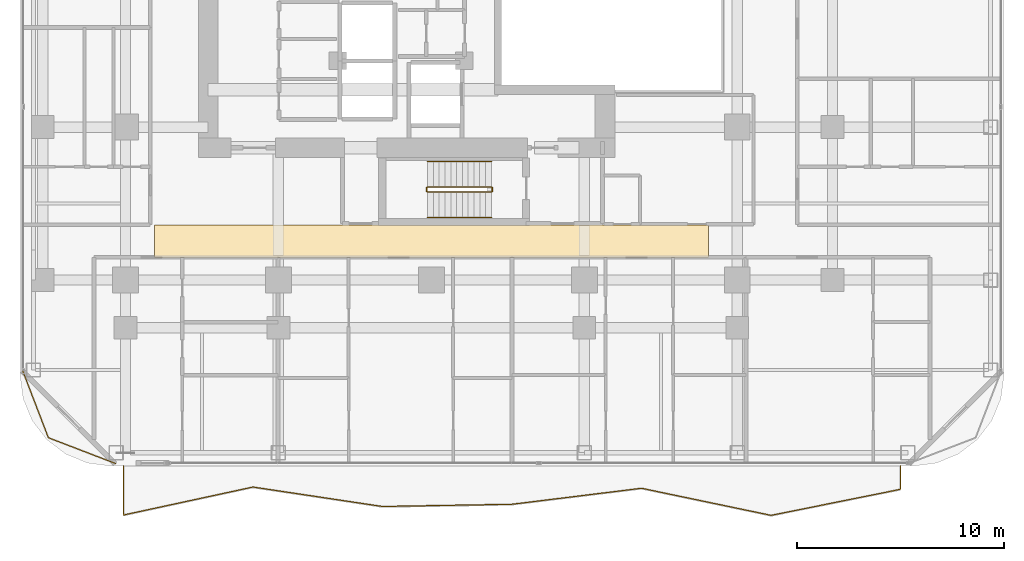
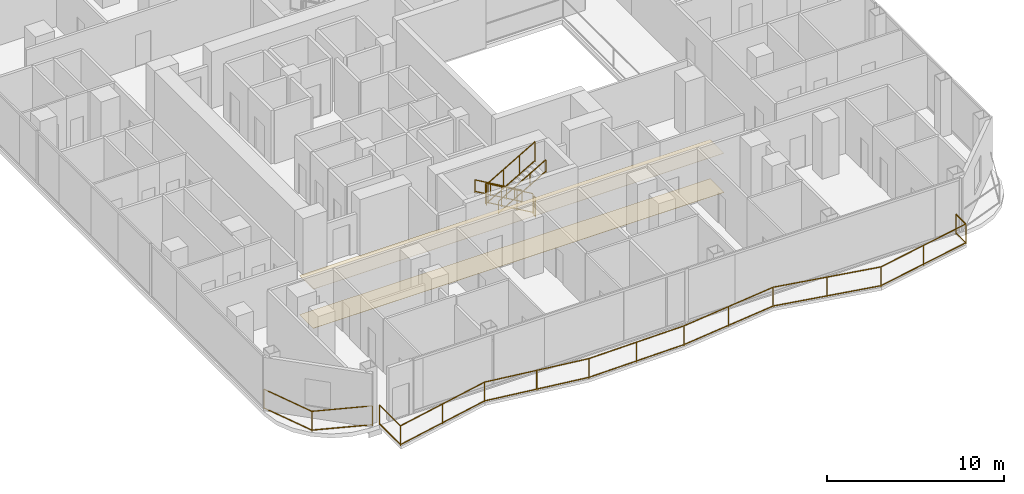
# One storey, part 27 of 29: 8 railings, 2 coverings.
"""IFC4 building model written with IfcOpenShell, lengths in metres."""

from ifc_helpers import new_model, si_unit, direction, frame, origin, origin_2d, place, context, subcontext, project, spatial, polyline, rectangle, outline, extrude, material, layer, layer_set, type_object, element, save


model = new_model("IFC4")

# Units and contexts
model_context = context("Model", 3, precision=1e-05, world=origin(), true_north=direction((0.0, 1.0)))
body_context = subcontext(model_context, "Body", "Model", "MODEL_VIEW")
ifc_project = project(units=[si_unit("LENGTHUNIT", "METRE"), si_unit("AREAUNIT", "SQUARE_METRE"), si_unit("VOLUMEUNIT", "CUBIC_METRE"), si_unit("PLANEANGLEUNIT", "RADIAN"), si_unit("MASSUNIT", "GRAM", prefix="KILO")], contexts=[model_context])

# Site, building, storey
site_placement = place(None, origin())
site = spatial("IfcSite", under=ifc_project, at=site_placement, CompositionType="ELEMENT")
building_placement = place(site_placement, origin())
building = spatial("IfcBuilding", under=site, at=building_placement, Name="Khorvyn Point Tower", CompositionType="ELEMENT")
storey_placement = place(building_placement, frame((0.0, 0.0, 136.800048828125)))
storey = spatial("IfcBuildingStorey", under=building, at=storey_placement, Name="L34", CompositionType="ELEMENT", Elevation=136.800048828125)

# Railings
ifc_material_1 = material(Name="Anodised aluminium 6063-T6 and laminated safety glass", Category="aluminium")
railing_type_1 = type_object("IfcRailingType", Name="Laminated Glass and Aluminium Balcony Guardrail 1400", PredefinedType="BALUSTRADE", material=ifc_material_1)
railing_1_placement = place(storey_placement, frame((-19.774169921875, -19.176025390625, 0.0)))
element("IfcRailing", 1, at=railing_1_placement, inside=storey, type_object=railing_type_1, Name="L34 Rounded Corner Edge Guardrail SW", PredefinedType="BALUSTRADE", context=body_context, shape_type="SweptSolid", body=[
    extrude(rectangle(XDim=0.048095703125, YDim=0.048095703125, at=origin_2d()), frame((0.0, 0.0, 1.3759765625), z_axis=(0.358382264808, -0.933574931257, 0.0), x_axis=(0.933574931257, 0.358382264808, 0.0)), (0.0, 0.0, 1.0), 3.481689453125),
    extrude(rectangle(XDim=0.048095703125, YDim=0.048095703125, at=origin_2d()), frame((0.0, 0.0, 0.080078125), z_axis=(0.358382264808, -0.933574931257, 0.0), x_axis=(0.933574931257, 0.358382264808, 0.0)), (0.0, 0.0, 1.0), 3.481689453125),
    extrude(rectangle(XDim=0.048095703125, YDim=0.048095703125, at=origin_2d()), frame((1.247802734375, -3.25048828125, 1.3759765625), z_axis=(0.933598390295, -0.358321148746, 0.0), x_axis=(0.358321148746, 0.933598390295, 0.0)), (0.0, 0.0, 1.0), 3.481689453125),
    extrude(rectangle(XDim=0.048095703125, YDim=0.048095703125, at=origin_2d()), frame((1.247802734375, -3.25048828125, 0.080078125), z_axis=(0.933598390295, -0.358321148746, 0.0), x_axis=(0.358321148746, 0.933598390295, 0.0)), (0.0, 0.0, 1.0), 3.481689453125),
    extrude(rectangle(XDim=0.0419921875, YDim=0.0419921875, at=origin_2d()), origin(), (0.0, 0.0, 1.0), 1.351806640625),
    extrude(rectangle(XDim=0.0419921875, YDim=0.0419921875, at=origin_2d()), frame((1.247802734375, -3.25048828125, 0.0)), (0.0, 0.0, 1.0), 1.351806640625),
    extrude(rectangle(XDim=0.0419921875, YDim=0.0419921875, at=origin_2d()), frame((4.498291015625, -4.498046875, 0.0)), (0.0, 0.0, 1.0), 1.351806640625),
])
railing_2_placement = place(storey_placement, frame((-14.89990234375, -23.800048828125, 0.0)))
element("IfcRailing", 2, at=railing_2_placement, inside=storey, type_object=railing_type_1, Name="L34 South Balcony Guardrail", PredefinedType="BALUSTRADE", context=body_context, shape_type="SweptSolid", body=[
    extrude(rectangle(XDim=0.048095703125, YDim=0.048095703125, at=origin_2d()), frame((0.0, 0.0, 1.3759765625), z_axis=(0.0, -1.0, 0.0), x_axis=(1.0, 0.0, 0.0)), (0.0, 0.0, 1.0), 2.36669921875),
    extrude(rectangle(XDim=0.048095703125, YDim=0.048095703125, at=origin_2d()), frame((0.0, 0.0, 0.080078125), z_axis=(0.0, -1.0, 0.0), x_axis=(1.0, 0.0, 0.0)), (0.0, 0.0, 1.0), 2.36669921875),
    extrude(rectangle(XDim=0.048095703125, YDim=0.048095703125, at=origin_2d()), frame((0.0, -2.36669921875, 1.3759765625), z_axis=(0.977405023503, 0.21137506956, 0.0), x_axis=(-0.21137506956, 0.977405023503, 0.0)), (0.0, 0.0, 1.0), 6.411376953125),
    extrude(rectangle(XDim=0.048095703125, YDim=0.048095703125, at=origin_2d()), frame((0.0, -2.36669921875, 0.080078125), z_axis=(0.977405023503, 0.21137506956, 0.0), x_axis=(-0.21137506956, 0.977405023503, 0.0)), (0.0, 0.0, 1.0), 6.411376953125),
    extrude(rectangle(XDim=0.048095703125, YDim=0.048095703125, at=origin_2d()), frame((6.2666015625, -1.011474609375, 1.3759765625), z_axis=(0.988914865266, -0.148483632957, 0.0), x_axis=(0.148483632957, 0.988914865266, 0.0)), (0.0, 0.0, 1.0), 6.3369140625),
    extrude(rectangle(XDim=0.048095703125, YDim=0.048095703125, at=origin_2d()), frame((6.2666015625, -1.011474609375, 0.080078125), z_axis=(0.988914865266, -0.148483632957, 0.0), x_axis=(0.148483632957, 0.988914865266, 0.0)), (0.0, 0.0, 1.0), 6.3369140625),
    extrude(rectangle(XDim=0.048095703125, YDim=0.048095703125, at=origin_2d()), frame((12.533203125, -1.952392578125, 1.3759765625), z_axis=(0.999853108862, 0.017139448648, 0.0), x_axis=(-0.017139448648, 0.999853108862, 0.0)), (0.0, 0.0, 1.0), 6.267578125),
    extrude(rectangle(XDim=0.048095703125, YDim=0.048095703125, at=origin_2d()), frame((12.533203125, -1.952392578125, 0.080078125), z_axis=(0.999853108862, 0.017139448648, 0.0), x_axis=(-0.017139448648, 0.999853108862, 0.0)), (0.0, 0.0, 1.0), 6.267578125),
    extrude(rectangle(XDim=0.048095703125, YDim=0.048095703125, at=origin_2d()), frame((18.7998046875, -1.844970703125, 1.3759765625), z_axis=(0.992460588908, 0.122564185081, 0.0), x_axis=(-0.122564185081, 0.992460588908, 0.0)), (0.0, 0.0, 1.0), 6.314453125),
    extrude(rectangle(XDim=0.048095703125, YDim=0.048095703125, at=origin_2d()), frame((18.7998046875, -1.844970703125, 0.080078125), z_axis=(0.992460588908, 0.122564185081, 0.0), x_axis=(-0.122564185081, 0.992460588908, 0.0)), (0.0, 0.0, 1.0), 6.314453125),
    extrude(rectangle(XDim=0.048095703125, YDim=0.048095703125, at=origin_2d()), frame((25.066650390625, -1.071044921875, 1.3759765625), z_axis=(0.978831683943, -0.204666886696, 0.0), x_axis=(0.204666886696, 0.978831683943, 0.0)), (0.0, 0.0, 1.0), 6.402099609375),
    extrude(rectangle(XDim=0.048095703125, YDim=0.048095703125, at=origin_2d()), frame((25.066650390625, -1.071044921875, 0.080078125), z_axis=(0.978831683943, -0.204666886696, 0.0), x_axis=(0.204666886696, 0.978831683943, 0.0)), (0.0, 0.0, 1.0), 6.402099609375),
    extrude(rectangle(XDim=0.048095703125, YDim=0.048095703125, at=origin_2d()), frame((31.333251953125, -2.38134765625, 1.3759765625), z_axis=(0.980297632722, 0.197526077468, 0.0), x_axis=(-0.197526077468, 0.980297632722, 0.0)), (0.0, 0.0, 1.0), 6.392578125),
    extrude(rectangle(XDim=0.048095703125, YDim=0.048095703125, at=origin_2d()), frame((31.333251953125, -2.38134765625, 0.080078125), z_axis=(0.980297632722, 0.197526077468, 0.0), x_axis=(-0.197526077468, 0.980297632722, 0.0)), (0.0, 0.0, 1.0), 6.392578125),
    extrude(rectangle(XDim=0.048095703125, YDim=0.048095703125, at=origin_2d()), frame((37.599853515625, -1.11865234375, 1.3759765625), z_axis=(0.0, 1.0, 0.0), x_axis=(-1.0, 0.0, 0.0)), (0.0, 0.0, 1.0), 1.11865234375),
    extrude(rectangle(XDim=0.048095703125, YDim=0.048095703125, at=origin_2d()), frame((37.599853515625, -1.11865234375, 0.080078125), z_axis=(0.0, 1.0, 0.0), x_axis=(-1.0, 0.0, 0.0)), (0.0, 0.0, 1.0), 1.11865234375),
    extrude(rectangle(XDim=0.0419921875, YDim=0.0419921875, at=origin_2d()), origin(), (0.0, 0.0, 1.0), 1.351806640625),
    extrude(rectangle(XDim=0.0419921875, YDim=0.0419921875, at=origin_2d()), frame((0.0, -2.36669921875, 0.0)), (0.0, 0.0, 1.0), 1.351806640625),
    extrude(rectangle(XDim=0.0419921875, YDim=0.0419921875, at=origin_2d()), frame((3.13330078125, -1.68896484375, 0.0)), (0.0, 0.0, 1.0), 1.351806640625),
    extrude(rectangle(XDim=0.0419921875, YDim=0.0419921875, at=origin_2d()), frame((6.2666015625, -1.011474609375, 0.0)), (0.0, 0.0, 1.0), 1.351806640625),
    extrude(rectangle(XDim=0.0419921875, YDim=0.0419921875, at=origin_2d()), frame((9.39990234375, -1.48193359375, 0.0)), (0.0, 0.0, 1.0), 1.351806640625),
    extrude(rectangle(XDim=0.0419921875, YDim=0.0419921875, at=origin_2d()), frame((12.533203125, -1.952392578125, 0.0)), (0.0, 0.0, 1.0), 1.351806640625),
    extrude(rectangle(XDim=0.0419921875, YDim=0.0419921875, at=origin_2d()), frame((15.66650390625, -1.898681640625, 0.0)), (0.0, 0.0, 1.0), 1.351806640625),
    extrude(rectangle(XDim=0.0419921875, YDim=0.0419921875, at=origin_2d()), frame((18.7998046875, -1.844970703125, 0.0)), (0.0, 0.0, 1.0), 1.351806640625),
    extrude(rectangle(XDim=0.0419921875, YDim=0.0419921875, at=origin_2d()), frame((21.93310546875, -1.4580078125, 0.0)), (0.0, 0.0, 1.0), 1.351806640625),
    extrude(rectangle(XDim=0.0419921875, YDim=0.0419921875, at=origin_2d()), frame((25.066650390625, -1.071044921875, 0.0)), (0.0, 0.0, 1.0), 1.351806640625),
    extrude(rectangle(XDim=0.0419921875, YDim=0.0419921875, at=origin_2d()), frame((28.199951171875, -1.72607421875, 0.0)), (0.0, 0.0, 1.0), 1.351806640625),
    extrude(rectangle(XDim=0.0419921875, YDim=0.0419921875, at=origin_2d()), frame((31.333251953125, -2.38134765625, 0.0)), (0.0, 0.0, 1.0), 1.351806640625),
    extrude(rectangle(XDim=0.0419921875, YDim=0.0419921875, at=origin_2d()), frame((34.466552734375, -1.75, 0.0)), (0.0, 0.0, 1.0), 1.351806640625),
    extrude(rectangle(XDim=0.0419921875, YDim=0.0419921875, at=origin_2d()), frame((37.599853515625, -1.11865234375, 0.0)), (0.0, 0.0, 1.0), 1.351806640625),
    extrude(rectangle(XDim=0.0419921875, YDim=0.0419921875, at=origin_2d()), frame((37.599853515625, 0.0, 0.0)), (0.0, 0.0, 1.0), 1.351806640625),
])

# Coverings
ifc_material_2 = material(Name="Mineral-fibre acoustic ceiling board", Category="gypsum")
ifc_layer_1 = layer(ifc_material_2, 0.02001953125)
ifc_layer_set_1 = layer_set([ifc_layer_1], Name="Perforated Mineral-Fibre Acoustic Suspended Ceiling 20")
covering_type_1 = type_object("IfcCoveringType", Name="Perforated Mineral-Fibre Acoustic Suspended Ceiling 20", PredefinedType="CEILING", material=ifc_layer_set_1)
covering_1_placement = place(storey_placement, frame((0.0, 0.0, 2.699951171875)))
element("IfcCovering", 3, at=covering_1_placement, inside=storey, type_object=covering_type_1, Name="L34 South Corridor Acoustic Ceiling", PredefinedType="CEILING", context=body_context, shape_type="SweptSolid", body=[
    extrude(outline(polyline([(-13.39990234375, -13.7099609375), (13.39990234375, -13.7099609375), (13.39990234375, -12.139892578125), (-13.39990234375, -12.139892578125), (-13.39990234375, -13.7099609375)])), origin(), (0.0, 0.0, 1.0), 0.02001953125),
])
ifc_material_3 = material(Name="Vitrified porcelain terrazzo tile", Category="ceramic")
ifc_layer_2 = layer(ifc_material_3, 0.01806640625)
ifc_layer_set_2 = layer_set([ifc_layer_2], Name="Porcelain Terrazzo Corridor Floor Finish Tile 18")
covering_type_2 = type_object("IfcCoveringType", Name="Porcelain Terrazzo Corridor Floor Finish Tile 18", PredefinedType="FLOORING", material=ifc_layer_set_2)
covering_2_placement = place(storey_placement, origin())
element("IfcCovering", 4, at=covering_2_placement, inside=storey, type_object=covering_type_2, Name="L34 South Corridor Terrazzo Flooring", PredefinedType="FLOORING", context=body_context, shape_type="SweptSolid", body=[
    extrude(outline(polyline([(-13.39990234375, -13.7099609375), (13.39990234375, -13.7099609375), (13.39990234375, -12.139892578125), (-13.39990234375, -12.139892578125), (-13.39990234375, -13.7099609375)])), origin(), (0.0, 0.0, 1.0), 0.01806640625),
])

# Railings
ifc_material_4 = material(Name="Stainless steel 1.4301", Category="steel")
railing_type_2 = type_object("IfcRailingType", Name="Stainless Steel 304 Stair Pitch Handrail 900", PredefinedType="HANDRAIL", material=ifc_material_4)
railing_3_placement = place(storey_placement, frame((2.89990234375, -9.070068359375, 0.162353515625)))
element("IfcRailing", 5, at=railing_3_placement, inside=storey, type_object=railing_type_2, Name="L34 ST-01 stair handrail 1", PredefinedType="HANDRAIL", context=body_context, shape_type="SweptSolid", body=[
    extrude(rectangle(XDim=0.048095703125, YDim=0.048095703125, at=origin_2d()), frame((0.0, 0.0, 0.8759765625), z_axis=(-0.864873446163, 0.0, 0.501989962173), x_axis=(0.0, -1.0, 0.0)), (0.0, 0.0, 1.0), 3.56103515625),
    extrude(rectangle(XDim=0.048095703125, YDim=0.048095703125, at=origin_2d()), frame((0.0, 0.0, 0.080078125), z_axis=(-0.864873446163, 0.0, 0.501989962173), x_axis=(0.0, -1.0, 0.0)), (0.0, 0.0, 1.0), 3.56103515625),
    extrude(rectangle(XDim=0.0419921875, YDim=0.0419921875, at=origin_2d()), origin(), (0.0, 0.0, 1.0), 0.851806640625),
    extrude(rectangle(XDim=0.0419921875, YDim=0.0419921875, at=origin_2d()), frame((-1.026611328125, 0.0, 0.595947265625)), (0.0, 0.0, 1.0), 0.851806640625),
    extrude(rectangle(XDim=0.0419921875, YDim=0.0419921875, at=origin_2d()), frame((-2.05322265625, 0.0, 1.191650390625)), (0.0, 0.0, 1.0), 0.851806640625),
    extrude(rectangle(XDim=0.0419921875, YDim=0.0419921875, at=origin_2d()), frame((-3.079833984375, 0.0, 1.78759765625)), (0.0, 0.0, 1.0), 0.851806640625),
])
railing_4_placement = place(storey_placement, frame((-0.179931640625, -11.77001953125, 2.112548828125)))
element("IfcRailing", 6, at=railing_4_placement, inside=storey, type_object=railing_type_2, Name="L34 ST-01 stair handrail 2", PredefinedType="HANDRAIL", context=body_context, shape_type="SweptSolid", body=[
    extrude(rectangle(XDim=0.048095703125, YDim=0.048095703125, at=origin_2d()), frame((0.0, 0.0, 0.8759765625), z_axis=(0.864903211148, 0.0, 0.501938676878), x_axis=(0.0, 1.0, 0.0)), (0.0, 0.0, 1.0), 3.560791015625),
    extrude(rectangle(XDim=0.048095703125, YDim=0.048095703125, at=origin_2d()), frame((0.0, 0.0, 0.080078125), z_axis=(0.864903211148, 0.0, 0.501938676878), x_axis=(0.0, 1.0, 0.0)), (0.0, 0.0, 1.0), 3.560791015625),
    extrude(rectangle(XDim=0.0419921875, YDim=0.0419921875, at=origin_2d()), origin(), (0.0, 0.0, 1.0), 0.851806640625),
    extrude(rectangle(XDim=0.0419921875, YDim=0.0419921875, at=origin_2d()), frame((1.026611328125, 0.0, 0.595703125)), (0.0, 0.0, 1.0), 0.851806640625),
    extrude(rectangle(XDim=0.0419921875, YDim=0.0419921875, at=origin_2d()), frame((2.05322265625, 0.0, 1.191650390625)), (0.0, 0.0, 1.0), 0.851806640625),
    extrude(rectangle(XDim=0.0419921875, YDim=0.0419921875, at=origin_2d()), frame((3.079833984375, 0.0, 1.787353515625)), (0.0, 0.0, 1.0), 0.851806640625),
])
railing_type_3 = type_object("IfcRailingType", Name="Stainless Steel 304 Stair Well Guardrail 1400", PredefinedType="GUARDRAIL", material=ifc_material_4)
railing_5_placement = place(storey_placement, frame((2.89990234375, -10.2900390625, 0.162353515625)))
element("IfcRailing", 7, at=railing_5_placement, inside=storey, type_object=railing_type_3, Name="L34 ST-01 stair guard 1", PredefinedType="GUARDRAIL", context=body_context, shape_type="SweptSolid", body=[
    extrude(rectangle(XDim=0.048095703125, YDim=0.048095703125, at=origin_2d()), frame((0.0, 0.0, 1.3759765625), z_axis=(-0.864873446163, 0.0, 0.501989962173), x_axis=(0.0, -1.0, 0.0)), (0.0, 0.0, 1.0), 3.56103515625),
    extrude(rectangle(XDim=0.048095703125, YDim=0.048095703125, at=origin_2d()), frame((0.0, 0.0, 0.080078125), z_axis=(-0.864873446163, 0.0, 0.501989962173), x_axis=(0.0, -1.0, 0.0)), (0.0, 0.0, 1.0), 3.56103515625),
    extrude(rectangle(XDim=0.0419921875, YDim=0.0419921875, at=origin_2d()), origin(), (0.0, 0.0, 1.0), 1.351806640625),
    extrude(rectangle(XDim=0.0419921875, YDim=0.0419921875, at=origin_2d()), frame((-1.026611328125, 0.0, 0.595947265625)), (0.0, 0.0, 1.0), 1.351806640625),
    extrude(rectangle(XDim=0.0419921875, YDim=0.0419921875, at=origin_2d()), frame((-2.05322265625, 0.0, 1.191650390625)), (0.0, 0.0, 1.0), 1.351806640625),
    extrude(rectangle(XDim=0.0419921875, YDim=0.0419921875, at=origin_2d()), frame((-3.079833984375, 0.0, 1.78759765625)), (0.0, 0.0, 1.0), 1.351806640625),
])
railing_6_placement = place(storey_placement, frame((-0.22998046875, -10.340087890625, 1.949951171875)))
element("IfcRailing", 8, at=railing_6_placement, inside=storey, type_object=railing_type_3, Name="L34 ST-01 stair guard 2", PredefinedType="GUARDRAIL", context=body_context, shape_type="SweptSolid", body=[
    extrude(rectangle(XDim=0.048095703125, YDim=0.048095703125, at=origin_2d()), frame((0.0, 0.0, 1.3759765625), z_axis=(0.0, -1.0, 0.0), x_axis=(1.0, 0.0, 0.0)), (0.0, 0.0, 1.0), 0.159912109375),
    extrude(rectangle(XDim=0.048095703125, YDim=0.048095703125, at=origin_2d()), frame((0.0, 0.0, 0.080078125), z_axis=(0.0, -1.0, 0.0), x_axis=(1.0, 0.0, 0.0)), (0.0, 0.0, 1.0), 0.159912109375),
    extrude(rectangle(XDim=0.0419921875, YDim=0.0419921875, at=origin_2d()), origin(), (0.0, 0.0, 1.0), 1.351806640625),
    extrude(rectangle(XDim=0.0419921875, YDim=0.0419921875, at=origin_2d()), frame((0.0, -0.159912109375, 0.0)), (0.0, 0.0, 1.0), 1.351806640625),
])
railing_7_placement = place(storey_placement, frame((-0.179931640625, -10.550048828125, 2.112548828125)))
element("IfcRailing", 9, at=railing_7_placement, inside=storey, type_object=railing_type_3, Name="L34 ST-01 stair guard 3", PredefinedType="GUARDRAIL", context=body_context, shape_type="SweptSolid", body=[
    extrude(rectangle(XDim=0.048095703125, YDim=0.048095703125, at=origin_2d()), frame((0.0, 0.0, 1.3759765625), z_axis=(0.864903211148, 0.0, 0.501938676878), x_axis=(0.0, 1.0, 0.0)), (0.0, 0.0, 1.0), 3.560791015625),
    extrude(rectangle(XDim=0.048095703125, YDim=0.048095703125, at=origin_2d()), frame((0.0, 0.0, 0.080078125), z_axis=(0.864903211148, 0.0, 0.501938676878), x_axis=(0.0, 1.0, 0.0)), (0.0, 0.0, 1.0), 3.560791015625),
    extrude(rectangle(XDim=0.0419921875, YDim=0.0419921875, at=origin_2d()), origin(), (0.0, 0.0, 1.0), 1.351806640625),
    extrude(rectangle(XDim=0.0419921875, YDim=0.0419921875, at=origin_2d()), frame((1.026611328125, 0.0, 0.595703125)), (0.0, 0.0, 1.0), 1.351806640625),
    extrude(rectangle(XDim=0.0419921875, YDim=0.0419921875, at=origin_2d()), frame((2.05322265625, 0.0, 1.191650390625)), (0.0, 0.0, 1.0), 1.351806640625),
    extrude(rectangle(XDim=0.0419921875, YDim=0.0419921875, at=origin_2d()), frame((3.079833984375, 0.0, 1.787353515625)), (0.0, 0.0, 1.0), 1.351806640625),
])
railing_8_placement = place(storey_placement, frame((2.949951171875, -10.340087890625, 0.0)))
element("IfcRailing", 10, at=railing_8_placement, inside=storey, type_object=railing_type_3, Name="L34 ST-01 stair guard 4", PredefinedType="GUARDRAIL", context=body_context, shape_type="SweptSolid", body=[
    extrude(rectangle(XDim=0.048095703125, YDim=0.048095703125, at=origin_2d()), frame((0.0, 0.0, 1.3759765625), z_axis=(0.0, -1.0, 0.0), x_axis=(1.0, 0.0, 0.0)), (0.0, 0.0, 1.0), 0.159912109375),
    extrude(rectangle(XDim=0.048095703125, YDim=0.048095703125, at=origin_2d()), frame((0.0, 0.0, 0.080078125), z_axis=(0.0, -1.0, 0.0), x_axis=(1.0, 0.0, 0.0)), (0.0, 0.0, 1.0), 0.159912109375),
    extrude(rectangle(XDim=0.0419921875, YDim=0.0419921875, at=origin_2d()), origin(), (0.0, 0.0, 1.0), 1.351806640625),
    extrude(rectangle(XDim=0.0419921875, YDim=0.0419921875, at=origin_2d()), frame((0.0, -0.159912109375, 0.0)), (0.0, 0.0, 1.0), 1.351806640625),
])

save(model, "model.ifc")
